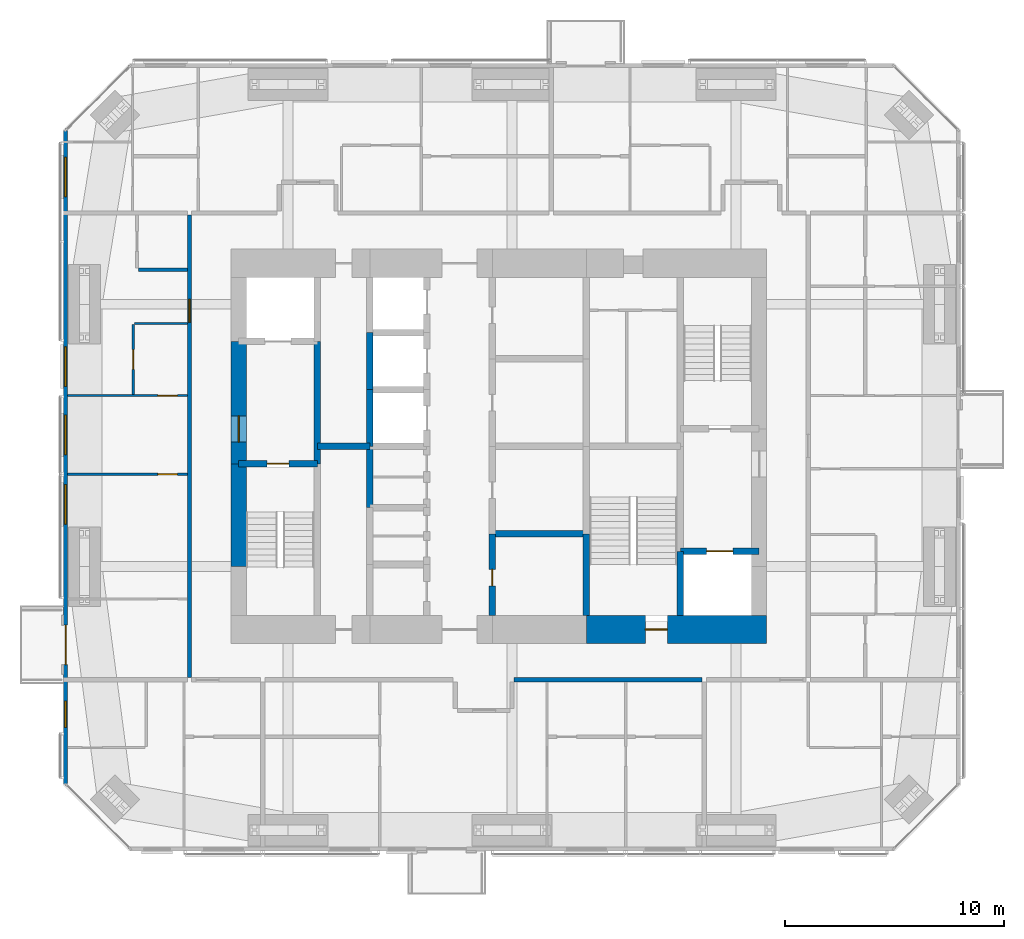
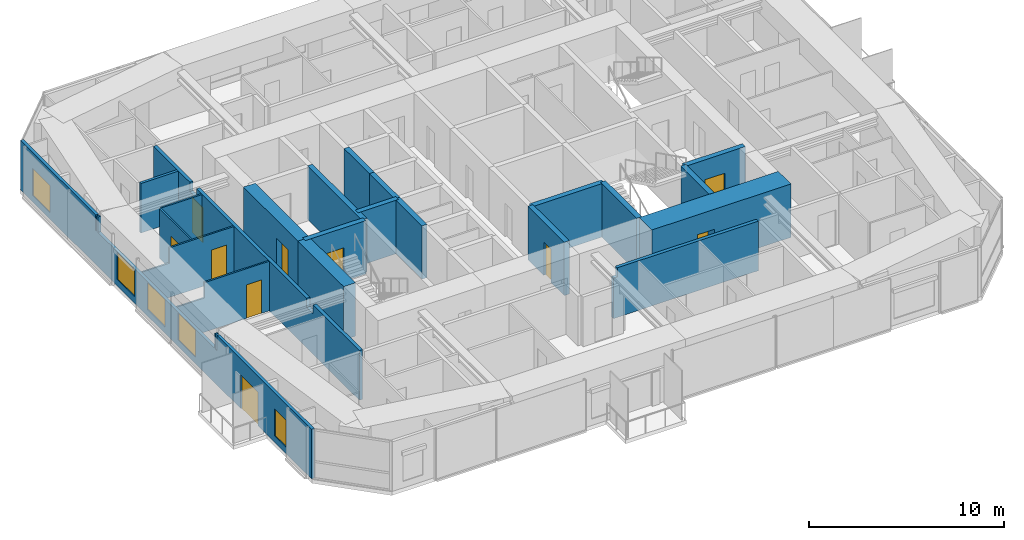
# One storey, part 17 of 23: 22 walls, 10 doors, 5 windows, 15 openings.
"""IFC4 building model written with IfcOpenShell, lengths in metres."""

from ifc_helpers import new_model, si_unit, direction, frame, frame_2d, origin, place, context, subcontext, project, spatial, polyline, rectangle, outline, extrude, material, layer, layer_set, constituent, constituent_set, type_object, element, fill, save


model = new_model("IFC4")

# Units and contexts
model_context = context("Model", 3, precision=1e-05, world=origin(), true_north=direction((0.0, 1.0)))
body_context = subcontext(model_context, "Body", "Model", "MODEL_VIEW")
ifc_project = project(units=[si_unit("LENGTHUNIT", "METRE"), si_unit("AREAUNIT", "SQUARE_METRE"), si_unit("VOLUMEUNIT", "CUBIC_METRE"), si_unit("PLANEANGLEUNIT", "RADIAN"), si_unit("MASSUNIT", "GRAM", prefix="KILO")], contexts=[model_context])

# Site, building, storey
site_placement = place(None, origin())
site = spatial("IfcSite", under=ifc_project, at=site_placement, CompositionType="ELEMENT")
building_placement = place(site_placement, origin())
building = spatial("IfcBuilding", under=site, at=building_placement, Name="Jalousie Tower", CompositionType="ELEMENT")
storey_placement = place(building_placement, frame((0.0, 0.0, 194.550048828125)))
storey = spatial("IfcBuildingStorey", under=building, at=storey_placement, Name="L53", CompositionType="ELEMENT", Elevation=194.550048828125)

# Wall
ifc_material_1 = material(Name="Concrete block ASTM C90", Category="concrete")
ifc_constituent_1 = constituent(ifc_material_1, Name="Body")
ifc_material_2 = material(Name="Render")
ifc_constituent_2 = constituent(ifc_material_2, Name="Finish")
ifc_constituent_set_1 = constituent_set(constituents=[ifc_constituent_1, ifc_constituent_2])
wall_type_1 = type_object("IfcWallType", Name="BATHROOM WALL 150", PredefinedType="PLUMBINGWALL", material=ifc_constituent_set_1)
wall_1_placement = place(storey_placement, frame((15.425048828125, 26.574951171875, 0.0), z_axis=(0.0, 0.0, 1.0), x_axis=(1.0, 0.0, 0.0)))
element("IfcWall", 1, at=wall_1_placement, inside=storey, type_object=wall_type_1, Name="Bathroom Wall 150 L53", PredefinedType="PLUMBINGWALL", context=body_context, shape_type="SweptSolid", body=[
    extrude(rectangle(XDim=2.224853515625, YDim=0.14990234375, at=frame_2d((1.1123046875, 0.0))), origin(), (0.0, 0.0, 1.0), 3.10986328125),
])

# Wall, opening, door
ifc_material_3 = material(Name="Concrete f'c 120 MPa", Category="concrete")
ifc_layer_1 = layer(ifc_material_3, 1.300048828125)
ifc_layer_set_1 = layer_set([ifc_layer_1], Name="Concrete f'c 120 MPa")
wall_type_2 = type_object("IfcWallType", Name="CORE WALL 1300", PredefinedType="SHEAR", material=ifc_layer_set_1)
wall_2_placement = place(storey_placement, frame((35.89990234375, 10.125, 0.0), z_axis=(0.0, 0.0, 1.0), x_axis=(1.0, 0.0, 0.0)))
wall_2 = element("IfcWall", 2, at=wall_2_placement, inside=storey, type_object=wall_type_2, Name="Core wall SD L53", PredefinedType="SHEAR", context=body_context, shape_type="SweptSolid", body=[
    extrude(rectangle(XDim=8.25, YDim=1.300048828125, at=frame_2d((4.125, 0.0))), origin(), (0.0, 0.0, 1.0), 3.349853515625),
])
opening_1_placement = place(wall_2_placement, frame((2.699951171875, 0.0, 0.0)))
opening_1 = element("IfcOpeningElement", 3, at=opening_1_placement, cuts=wall_2, Name="Opening D10", PredefinedType="OPENING", context=body_context, shape_type="SweptSolid", body=[
    extrude(rectangle(XDim=1.0, YDim=2.10009765625, at=frame_2d((0.5, 1.050048828125))), frame((0.0, 0.659912109375, 0.0), z_axis=(0.0, -1.0, 0.0), x_axis=(1.0, 0.0, 0.0)), (0.0, 0.0, 1.0), 1.320068359375),
])
ifc_material_4 = material(Name="Steel fire door", Category="steel")
door_type_1 = type_object("IfcDoorType", Name="STAIR DOOR 1000", OperationType="SINGLE_SWING_LEFT", PredefinedType="DOOR", material=ifc_material_4)
door_1_placement = place(opening_1_placement, origin())
door_1 = element("IfcDoor", 4, at=door_1_placement, inside=storey, type_object=door_type_1, Name="Exit stair C door", OperationType="SINGLE_SWING_RIGHT", OverallHeight=2.10009765625, OverallWidth=1.0, PredefinedType="DOOR", context=body_context, shape_type="SweptSolid", body=[
    extrude(rectangle(XDim=1.0, YDim=2.10009765625, at=frame_2d((0.5, 1.050048828125))), frame((0.0, 0.02490234375, 0.0), z_axis=(0.0, -1.0, 0.0), x_axis=(1.0, 0.0, 0.0)), (0.0, 0.0, 1.0), 0.050048828125),
])
fill(opening_1, door_1)

# Walls
ifc_material_5 = material(Name="Concrete f'c 120 MPa", Category="concrete")
ifc_layer_2 = layer(ifc_material_5, 0.300048828125)
ifc_layer_set_2 = layer_set([ifc_layer_2], Name="Concrete f'c 120 MPa")
wall_type_3 = type_object("IfcWallType", Name="CORE WALL 300", PredefinedType="SHEAR", material=ifc_layer_set_2)
wall_3_placement = place(storey_placement, frame((23.60009765625, 17.699951171875, 0.0), z_axis=(0.0, 0.0, 1.0), x_axis=(0.0, 1.0, 0.0)))
element("IfcWall", 5, at=wall_3_placement, inside=storey, type_object=wall_type_3, Name="Core wall X23.6B L53", PredefinedType="SHEAR", context=body_context, shape_type="SweptSolid", body=[
    extrude(rectangle(XDim=5.60009765625, YDim=0.300048828125, at=frame_2d((2.800048828125, 0.0))), origin(), (0.0, 0.0, 1.0), 3.349853515625),
])
wall_4_placement = place(storey_placement, frame((26.0, 15.699951171875, 0.0), z_axis=(0.0, 0.0, 1.0), x_axis=(0.0, 1.0, 0.0)))
element("IfcWall", 6, at=wall_4_placement, inside=storey, type_object=wall_type_3, Name="Core wall X26C L53", PredefinedType="SHEAR", context=body_context, shape_type="SweptSolid", body=[
    extrude(rectangle(XDim=2.800048828125, YDim=0.300048828125, at=frame_2d((1.39990234375, 0.0))), origin(), (0.0, 0.0, 1.0), 3.349853515625),
])
wall_5_placement = place(storey_placement, frame((26.0, 18.5, 0.0), z_axis=(0.0, 0.0, 1.0), x_axis=(0.0, 1.0, 0.0)))
element("IfcWall", 7, at=wall_5_placement, inside=storey, type_object=wall_type_3, Name="Core wall X26D L53", PredefinedType="SHEAR", context=body_context, shape_type="SweptSolid", body=[
    extrude(rectangle(XDim=2.60009765625, YDim=0.300048828125, at=frame_2d((1.300048828125, 0.0))), origin(), (0.0, 0.0, 1.0), 3.349853515625),
])
wall_6_placement = place(storey_placement, frame((26.0, 21.10009765625, 0.0), z_axis=(0.0, 0.0, 1.0), x_axis=(0.0, 1.0, 0.0)))
element("IfcWall", 8, at=wall_6_placement, inside=storey, type_object=wall_type_3, Name="Core wall X26E L53", PredefinedType="SHEAR", context=body_context, shape_type="SweptSolid", body=[
    extrude(rectangle(XDim=2.599853515625, YDim=0.300048828125, at=frame_2d((1.2998046875, 0.0))), origin(), (0.0, 0.0, 1.0), 3.349853515625),
])

# Wall, opening, door
wall_7_placement = place(storey_placement, frame((31.60009765625, 10.77490234375, 0.0), z_axis=(0.0, 0.0, 1.0), x_axis=(0.0, 1.0, 0.0)))
wall_7 = element("IfcWall", 9, at=wall_7_placement, inside=storey, type_object=wall_type_3, Name="Core wall X31.6A L53", PredefinedType="SHEAR", context=body_context, shape_type="SweptSolid", body=[
    extrude(rectangle(XDim=3.72509765625, YDim=0.300048828125, at=frame_2d((1.862548828125, 0.0))), origin(), (0.0, 0.0, 1.0), 3.349853515625),
])
opening_2_placement = place(wall_7_placement, frame((1.35009765625, 0.0, 0.0)))
opening_2 = element("IfcOpeningElement", 10, at=opening_2_placement, cuts=wall_7, Name="Opening D16", PredefinedType="OPENING", context=body_context, shape_type="SweptSolid", body=[
    extrude(rectangle(XDim=0.75, YDim=2.10009765625, at=frame_2d((0.375, 1.050048828125))), frame((0.0, 0.159912109375, 0.0), z_axis=(0.0, -1.0, 0.0), x_axis=(1.0, 0.0, 0.0)), (0.0, 0.0, 1.0), 0.320068359375),
])
ifc_material_6 = material(Name="Steel fire door", Category="steel")
door_type_2 = type_object("IfcDoorType", Name="RISER DOOR 750", OperationType="SINGLE_SWING_LEFT", PredefinedType="DOOR", material=ifc_material_6)
door_2_placement = place(opening_2_placement, frame((0.75, 0.0, 0.0), z_axis=(0.0, 0.0, 1.0), x_axis=(-1.0, 0.0, 0.0)))
door_2 = element("IfcDoor", 11, at=door_2_placement, inside=storey, type_object=door_type_2, Name="Refuse Room door", OperationType="SINGLE_SWING_RIGHT", OverallHeight=2.10009765625, OverallWidth=0.75, PredefinedType="DOOR", context=body_context, shape_type="SweptSolid", body=[
    extrude(rectangle(XDim=0.75, YDim=2.10009765625, at=frame_2d((0.375, 1.050048828125))), frame((0.0, 0.02490234375, 0.0), z_axis=(0.0, -1.0, 0.0), x_axis=(1.0, 0.0, 0.0)), (0.0, 0.0, 1.0), 0.050048828125),
])
fill(opening_2, door_2)

# Walls
wall_8_placement = place(storey_placement, frame((35.89990234375, 10.77490234375, 0.0), z_axis=(0.0, 0.0, 1.0), x_axis=(0.0, 1.0, 0.0)))
element("IfcWall", 12, at=wall_8_placement, inside=storey, type_object=wall_type_3, Name="Core wall X35.9A L53", PredefinedType="SHEAR", context=body_context, shape_type="SweptSolid", body=[
    extrude(rectangle(XDim=3.72509765625, YDim=0.300048828125, at=frame_2d((1.862548828125, 0.0))), origin(), (0.0, 0.0, 1.0), 3.349853515625),
])
wall_9_placement = place(storey_placement, frame((40.199951171875, 10.77490234375, 0.0), z_axis=(0.0, 0.0, 1.0), x_axis=(0.0, 1.0, 0.0)))
element("IfcWall", 13, at=wall_9_placement, inside=storey, type_object=wall_type_3, Name="Core wall X40.2A L53", PredefinedType="SHEAR", context=body_context, shape_type="SweptSolid", body=[
    extrude(rectangle(XDim=2.925048828125, YDim=0.300048828125, at=frame_2d((1.46240234375, 0.0))), origin(), (0.0, 0.0, 1.0), 3.349853515625),
])

# Wall, opening, door
wall_10_placement = place(storey_placement, frame((20.0, 17.699951171875, 0.0), z_axis=(0.0, 0.0, 1.0), x_axis=(1.0, 0.0, 0.0)))
wall_10 = element("IfcWall", 14, at=wall_10_placement, inside=storey, type_object=wall_type_3, Name="Core wall Y20-17.7 L53", PredefinedType="SHEAR", context=body_context, shape_type="SweptSolid", body=[
    extrude(rectangle(XDim=3.60009765625, YDim=0.300048828125, at=frame_2d((1.800048828125, 0.0))), origin(), (0.0, 0.0, 1.0), 3.349853515625),
])
opening_3_placement = place(wall_10_placement, frame((1.300048828125, 0.0, 0.0)))
opening_3 = element("IfcOpeningElement", 15, at=opening_3_placement, cuts=wall_10, Name="Opening D10", PredefinedType="OPENING", context=body_context, shape_type="SweptSolid", body=[
    extrude(rectangle(XDim=1.0, YDim=2.10009765625, at=frame_2d((0.5, 1.050048828125))), frame((0.0, 0.159912109375, 0.0), z_axis=(0.0, -1.0, 0.0), x_axis=(1.0, 0.0, 0.0)), (0.0, 0.0, 1.0), 0.320068359375),
])
door_3_placement = place(opening_3_placement, frame((1.0, 0.0, 0.0), z_axis=(0.0, 0.0, 1.0), x_axis=(-1.0, 0.0, 0.0)))
door_3 = element("IfcDoor", 16, at=door_3_placement, inside=storey, type_object=door_type_1, Name="Exit stair A door", OperationType="SINGLE_SWING_RIGHT", OverallHeight=2.10009765625, OverallWidth=1.0, PredefinedType="DOOR", context=body_context, shape_type="SweptSolid", body=[
    extrude(rectangle(XDim=1.0, YDim=2.10009765625, at=frame_2d((0.5, 1.050048828125))), frame((0.0, 0.02490234375, 0.0), z_axis=(0.0, -1.0, 0.0), x_axis=(1.0, 0.0, 0.0)), (0.0, 0.0, 1.0), 0.050048828125),
])
fill(opening_3, door_3)

# Walls
wall_11_placement = place(storey_placement, frame((23.60009765625, 18.5, 0.0), z_axis=(0.0, 0.0, 1.0), x_axis=(1.0, 0.0, 0.0)))
element("IfcWall", 17, at=wall_11_placement, inside=storey, type_object=wall_type_3, Name="Core wall Y23.6-18.5 L53", PredefinedType="SHEAR", context=body_context, shape_type="SweptSolid", body=[
    extrude(rectangle(XDim=2.39990234375, YDim=0.300048828125, at=frame_2d((1.199951171875, 0.0))), origin(), (0.0, 0.0, 1.0), 3.349853515625),
])
wall_12_placement = place(storey_placement, frame((31.60009765625, 14.5, 0.0), z_axis=(0.0, 0.0, 1.0), x_axis=(1.0, 0.0, 0.0)))
element("IfcWall", 18, at=wall_12_placement, inside=storey, type_object=wall_type_3, Name="Core wall Y31.6-14.5 L53", PredefinedType="SHEAR", context=body_context, shape_type="SweptSolid", body=[
    extrude(rectangle(XDim=4.2998046875, YDim=0.300048828125, at=frame_2d((2.14990234375, 0.0))), origin(), (0.0, 0.0, 1.0), 3.349853515625),
])

# Wall, opening, door
wall_13_placement = place(storey_placement, frame((40.199951171875, 13.699951171875, 0.0), z_axis=(0.0, 0.0, 1.0), x_axis=(1.0, 0.0, 0.0)))
wall_13 = element("IfcWall", 19, at=wall_13_placement, inside=storey, type_object=wall_type_3, Name="Core wall Y40.2-13.7 L53", PredefinedType="SHEAR", context=body_context, shape_type="SweptSolid", body=[
    extrude(rectangle(XDim=3.60009765625, YDim=0.300048828125, at=frame_2d((1.800048828125, 0.0))), origin(), (0.0, 0.0, 1.0), 3.349853515625),
])
opening_4_placement = place(wall_13_placement, frame((1.199951171875, 0.0, 0.0)))
opening_4 = element("IfcOpeningElement", 20, at=opening_4_placement, cuts=wall_13, Name="Opening LD2", PredefinedType="OPENING", context=body_context, shape_type="SweptSolid", body=[
    extrude(rectangle(XDim=1.199951171875, YDim=2.10009765625, at=frame_2d((0.60009765625, 1.050048828125))), frame((0.0, 0.159912109375, 0.0), z_axis=(0.0, -1.0, 0.0), x_axis=(1.0, 0.0, 0.0)), (0.0, 0.0, 1.0), 0.320068359375),
])
ifc_material_7 = material(Name="Steel lift landing door", Category="steel")
door_type_3 = type_object("IfcDoorType", Name="LIFT LANDING DOOR 1200", OperationType="SLIDING_TO_LEFT", PredefinedType="DOOR", material=ifc_material_7)
door_4_placement = place(opening_4_placement, origin())
door_4 = element("IfcDoor", 21, at=door_4_placement, inside=storey, type_object=door_type_3, Name="Lift F2 landing door", OperationType="SLIDING_TO_LEFT", OverallHeight=2.10009765625, OverallWidth=1.199951171875, PredefinedType="DOOR", context=body_context, shape_type="SweptSolid", body=[
    extrude(rectangle(XDim=1.199951171875, YDim=2.10009765625, at=frame_2d((0.60009765625, 1.050048828125))), frame((0.0, 0.02490234375, 0.0), z_axis=(0.0, -1.0, 0.0), x_axis=(1.0, 0.0, 0.0)), (0.0, 0.0, 1.0), 0.050048828125),
])
fill(opening_4, door_4)

ifc_material_8 = material(Name="Concrete f'c 120 MPa", Category="concrete")
ifc_layer_3 = layer(ifc_material_8, 0.699951171875)
ifc_layer_set_3 = layer_set([ifc_layer_3], Name="Concrete f'c 120 MPa")
wall_type_4 = type_object("IfcWallType", Name="CORE WALL 700", PredefinedType="SHEAR", material=ifc_layer_set_3)
wall_14_placement = place(storey_placement, frame((20.0, 23.300048828125, 0.0), z_axis=(0.0, 0.0, 1.0), x_axis=(0.0, -1.0, 0.0)))
wall_14 = element("IfcWall", 22, at=wall_14_placement, inside=storey, type_object=wall_type_4, Name="Core wall WB L53", PredefinedType="SHEAR", context=body_context, shape_type="SweptSolid", body=[
    extrude(rectangle(XDim=5.60009765625, YDim=0.699951171875, at=frame_2d((2.800048828125, 0.0))), origin(), (0.0, 0.0, 1.0), 3.349853515625),
])
opening_5_placement = place(wall_14_placement, frame((3.39990234375, 0.0, 0.0)))
opening_5 = element("IfcOpeningElement", 23, at=opening_5_placement, cuts=wall_14, Name="Opening D11", PredefinedType="OPENING", context=body_context, shape_type="SweptSolid", body=[
    extrude(rectangle(XDim=1.199951171875, YDim=2.199951171875, at=frame_2d((0.60009765625, 1.10009765625))), frame((0.0, 0.35986328125, 0.0), z_axis=(0.0, -1.0, 0.0), x_axis=(1.0, 0.0, 0.0)), (0.0, 0.0, 1.0), 0.719970703125),
])
ifc_material_9 = material(Name="Steel fire door", Category="steel")
door_type_4 = type_object("IfcDoorType", Name="FIRE DOOR 1200", OperationType="SINGLE_SWING_LEFT", PredefinedType="DOOR", material=ifc_material_9)
door_5_placement = place(opening_5_placement, origin())
door_5 = element("IfcDoor", 24, at=door_5_placement, inside=storey, type_object=door_type_4, Name="Fire-fighting lobby A door", OperationType="SINGLE_SWING_RIGHT", OverallHeight=2.199951171875, OverallWidth=1.199951171875, PredefinedType="DOOR", context=body_context, shape_type="SweptSolid", body=[
    extrude(rectangle(XDim=1.199951171875, YDim=2.199951171875, at=frame_2d((0.60009765625, 1.10009765625))), frame((0.0, 0.02490234375, 0.0), z_axis=(0.0, -1.0, 0.0), x_axis=(1.0, 0.0, 0.0)), (0.0, 0.0, 1.0), 0.050048828125),
])
fill(opening_5, door_5)

# Wall
wall_15_placement = place(storey_placement, frame((20.0, 17.699951171875, 0.0), z_axis=(0.0, 0.0, 1.0), x_axis=(0.0, -1.0, 0.0)))
element("IfcWall", 25, at=wall_15_placement, inside=storey, type_object=wall_type_4, Name="Core wall WC L53", PredefinedType="SHEAR", context=body_context, shape_type="SweptSolid", body=[
    extrude(rectangle(XDim=4.699951171875, YDim=0.699951171875, at=frame_2d((2.35009765625, 0.0))), origin(), (0.0, 0.0, 1.0), 3.349853515625),
])

# Wall, opening, door
ifc_material_10 = material(Name="Concrete block ASTM C90", Category="concrete")
ifc_constituent_3 = constituent(ifc_material_10, Name="Body")
ifc_material_11 = material(Name="Render")
ifc_constituent_4 = constituent(ifc_material_11, Name="Finish")
ifc_constituent_set_2 = constituent_set(constituents=[ifc_constituent_3, ifc_constituent_4])
wall_type_5 = type_object("IfcWallType", Name="CORRIDOR WALL 200", PredefinedType="PARTITIONING", material=ifc_constituent_set_2)
wall_16_placement = place(storey_placement, frame((17.75, 7.925048828125, 0.0), z_axis=(0.0, 0.0, 1.0), x_axis=(0.0, 1.0, 0.0)))
wall_16 = element("IfcWall", 26, at=wall_16_placement, inside=storey, type_object=wall_type_5, Name="Corridor Wall 200 L53", PredefinedType="PARTITIONING", context=body_context, shape_type="SweptSolid", body=[
    extrude(outline(polyline([(0.0, 0.0), (21.14990234375, 0.0), (21.14990234375, 3.10986328125), (17.412353515625, 3.10986328125), (17.412353515625, 2.541015625), (16.737548828125, 2.541015625), (16.737548828125, 3.10986328125), (5.412353515625, 3.10986328125), (5.412353515625, 2.541015625), (4.73779296875, 2.541015625), (4.73779296875, 3.10986328125), (0.0, 3.10986328125), (0.0, 0.0)])), frame((0.0, 0.10009765625, 0.0), z_axis=(0.0, -1.0, 0.0), x_axis=(1.0, 0.0, 0.0)), (0.0, 0.0, 1.0), 0.199951171875),
])
opening_6_placement = place(wall_16_placement, frame((16.25, 0.0, 0.0)))
opening_6 = element("IfcOpeningElement", 27, at=opening_6_placement, cuts=wall_16, Name="Opening D1", PredefinedType="OPENING", context=body_context, shape_type="SweptSolid", body=[
    extrude(rectangle(XDim=1.050048828125, YDim=2.199951171875, at=frame_2d((0.52490234375, 1.10009765625))), frame((0.0, 0.10986328125, 0.0), z_axis=(0.0, -1.0, 0.0), x_axis=(1.0, 0.0, 0.0)), (0.0, 0.0, 1.0), 0.219970703125),
])
ifc_material_12 = material(Name="Timber fire door", Category="wood")
door_type_5 = type_object("IfcDoorType", Name="APARTMENT ENTRANCE DOOR 1050", OperationType="SINGLE_SWING_LEFT", PredefinedType="DOOR", material=ifc_material_12)
door_6_placement = place(opening_6_placement, origin())
door_6 = element("IfcDoor", 28, at=door_6_placement, inside=storey, type_object=door_type_5, Name="Apartment 5306 entrance", OperationType="SINGLE_SWING_LEFT", OverallHeight=2.199951171875, OverallWidth=1.050048828125, PredefinedType="DOOR", context=body_context, shape_type="SweptSolid", body=[
    extrude(rectangle(XDim=1.050048828125, YDim=2.199951171875, at=frame_2d((0.52490234375, 1.10009765625))), frame((0.0, 0.02490234375, 0.0), z_axis=(0.0, -1.0, 0.0), x_axis=(1.0, 0.0, 0.0)), (0.0, 0.0, 1.0), 0.050048828125),
])
fill(opening_6, door_6)

# Wall
wall_17_placement = place(storey_placement, frame((32.60009765625, 7.824951171875, 0.0), z_axis=(0.0, 0.0, 1.0), x_axis=(1.0, 0.0, 0.0)))
element("IfcWall", 29, at=wall_17_placement, inside=storey, type_object=wall_type_5, Name="Corridor Wall 200 L53", PredefinedType="PARTITIONING", context=body_context, shape_type="SweptSolid", body=[
    extrude(outline(polyline([(0.0, 0.0), (8.599853515625, 0.0), (8.60009765625, 3.10986328125), (0.2373046875, 3.10986328125), (0.2373046875, 2.541015625), (0.0, 2.541015625), (0.0, 3.10986328125), (0.0, 0.0)])), frame((0.0, 0.10009765625, 0.0), z_axis=(0.0, -1.0, 0.0), x_axis=(1.0, 0.0, 0.0)), (0.0, 0.0, 1.0), 0.199951171875),
])

# Wall, openings, door, windows
ifc_material_13 = material(Name="Concrete f'c 40 MPa", Category="concrete")
ifc_constituent_5 = constituent(ifc_material_13, Name="Body")
ifc_material_14 = material(Name="Render, pastel lemon")
ifc_constituent_6 = constituent(ifc_material_14, Name="Finish")
ifc_constituent_set_3 = constituent_set(constituents=[ifc_constituent_5, ifc_constituent_6])
wall_type_6 = type_object("IfcWallType", Name="EXTERNAL WALL 175 LEMON RENDER", PredefinedType="SOLIDWALL", material=ifc_constituent_set_3)
wall_18_placement = place(storey_placement, frame((12.08740234375, 32.94873046875, 0.0), z_axis=(0.0, 0.0, 1.0), x_axis=(0.0, -1.0, 0.0)))
wall_18 = element("IfcWall", 30, at=wall_18_placement, inside=storey, type_object=wall_type_6, Name="External Wall 175 Lemon Render L53", PredefinedType="SOLIDWALL", context=body_context, shape_type="SweptSolid", body=[
    extrude(outline(polyline([(0.0, 0.0), (29.8974609375, 0.0), (29.8974609375, 3.10986328125), (20.19140625, 3.10986328125), (20.19140625, 2.14990234375), (20.050537109375, 2.14990234375), (20.050537109375, 3.10986328125), (19.94873046875, 3.10986328125), (19.94873046875, 2.14990234375), (7.94873046875, 2.14990234375), (7.94873046875, 3.10986328125), (7.823486328125, 3.10986328125), (7.823486328125, 2.14990234375), (7.729736328125, 2.14990234375), (7.729736328125, 3.10986328125), (0.0, 3.10986328125), (0.0, 0.0)])), frame((0.0, 0.08740234375, 0.0), z_axis=(0.0, -1.0, 0.0), x_axis=(1.0, 0.0, 0.0)), (0.0, 0.0, 1.0), 0.175048828125),
])
opening_7_placement = place(wall_18_placement, frame((1.226318359375, 0.0, 0.39990234375)))
opening_7 = element("IfcOpeningElement", 31, at=opening_7_placement, cuts=wall_18, Name="Opening W-BED170", PredefinedType="OPENING", context=body_context, shape_type="SweptSolid", body=[
    extrude(rectangle(XDim=1.800048828125, YDim=1.699951171875, at=frame_2d((0.89990234375, 0.85009765625))), frame((0.0, 0.097412109375, 0.0), z_axis=(0.0, -1.0, 0.0), x_axis=(1.0, 0.0, 0.0)), (0.0, 0.0, 1.0), 0.195068359375),
])
opening_8_placement = place(wall_18_placement, frame((9.898681640625, 0.0, 0.39990234375)))
opening_8 = element("IfcOpeningElement", 32, at=opening_8_placement, cuts=wall_18, Name="Opening W-BED170", PredefinedType="OPENING", context=body_context, shape_type="SweptSolid", body=[
    extrude(rectangle(XDim=1.800048828125, YDim=1.699951171875, at=frame_2d((0.89990234375, 0.85009765625))), frame((0.0, 0.097412109375, 0.0), z_axis=(0.0, -1.0, 0.0), x_axis=(1.0, 0.0, 0.0)), (0.0, 0.0, 1.0), 0.195068359375),
])
opening_9_placement = place(wall_18_placement, frame((13.023681640625, 0.0, 0.39990234375)))
opening_9 = element("IfcOpeningElement", 33, at=opening_9_placement, cuts=wall_18, Name="Opening W-BED170", PredefinedType="OPENING", context=body_context, shape_type="SweptSolid", body=[
    extrude(rectangle(XDim=1.800048828125, YDim=1.699951171875, at=frame_2d((0.89990234375, 0.85009765625))), frame((0.0, 0.097412109375, 0.0), z_axis=(0.0, -1.0, 0.0), x_axis=(1.0, 0.0, 0.0)), (0.0, 0.0, 1.0), 0.195068359375),
])
opening_10_placement = place(wall_18_placement, frame((16.201171875, 0.0, 0.39990234375)))
opening_10 = element("IfcOpeningElement", 34, at=opening_10_placement, cuts=wall_18, Name="Opening W-BED170", PredefinedType="OPENING", context=body_context, shape_type="SweptSolid", body=[
    extrude(rectangle(XDim=1.800048828125, YDim=1.699951171875, at=frame_2d((0.89990234375, 0.85009765625))), frame((0.0, 0.097412109375, 0.0), z_axis=(0.0, -1.0, 0.0), x_axis=(1.0, 0.0, 0.0)), (0.0, 0.0, 1.0), 0.195068359375),
])
opening_11_placement = place(wall_18_placement, frame((22.623779296875, 0.0, 0.0)))
opening_11 = element("IfcOpeningElement", 35, at=opening_11_placement, cuts=wall_18, Name="Opening D-BAL21", PredefinedType="OPENING", context=body_context, shape_type="SweptSolid", body=[
    extrude(rectangle(XDim=1.800048828125, YDim=2.10009765625, at=frame_2d((0.89990234375, 1.050048828125))), frame((0.0, 0.097412109375, 0.0), z_axis=(0.0, -1.0, 0.0), x_axis=(1.0, 0.0, 0.0)), (0.0, 0.0, 1.0), 0.195068359375),
])
opening_12_placement = place(wall_18_placement, frame((26.0986328125, 0.0, 0.39990234375)))
opening_12 = element("IfcOpeningElement", 36, at=opening_12_placement, cuts=wall_18, Name="Opening W-COR170", PredefinedType="OPENING", context=body_context, shape_type="SweptSolid", body=[
    extrude(rectangle(XDim=1.199951171875, YDim=1.699951171875, at=frame_2d((0.60009765625, 0.85009765625))), frame((0.0, 0.097412109375, 0.0), z_axis=(0.0, -1.0, 0.0), x_axis=(1.0, 0.0, 0.0)), (0.0, 0.0, 1.0), 0.195068359375),
])
ifc_material_15 = material(Name="Aluminium frame, impact-rated glazing", Category="aluminium")
door_type_6 = type_object("IfcDoorType", Name="BALCONY DOOR 1800x2100", OperationType="SLIDING_TO_LEFT", PredefinedType="DOOR", material=ifc_material_15)
door_7_placement = place(opening_11_placement, origin())
door_7 = element("IfcDoor", 37, at=door_7_placement, inside=storey, type_object=door_type_6, Name="Apartment 5306 bedroom 1 balcony door", OperationType="SLIDING_TO_LEFT", OverallHeight=2.10009765625, OverallWidth=1.800048828125, PredefinedType="DOOR", context=body_context, shape_type="SweptSolid", body=[
    extrude(rectangle(XDim=1.800048828125, YDim=2.10009765625, at=frame_2d((0.89990234375, 1.050048828125))), frame((0.0, 0.02490234375, 0.0), z_axis=(0.0, -1.0, 0.0), x_axis=(1.0, 0.0, 0.0)), (0.0, 0.0, 1.0), 0.050048828125),
])
fill(opening_11, door_7)
ifc_material_16 = material(Name="Aluminium frame, impact-rated glazing", Category="aluminium")
window_type_1 = type_object("IfcWindowType", Name="WINDOW BED 1800x1700", PartitioningType="SINGLE_PANEL", PredefinedType="WINDOW", material=ifc_material_16)
window_1_placement = place(opening_7_placement, origin())
window_1 = element("IfcWindow", 38, at=window_1_placement, inside=storey, type_object=window_type_1, Name="Apartment 5304 bedroom 1 window", OverallHeight=1.699951171875, OverallWidth=1.800048828125, PartitioningType="SINGLE_PANEL", PredefinedType="WINDOW", context=body_context, shape_type="SweptSolid", body=[
    extrude(rectangle(XDim=1.800048828125, YDim=1.699951171875, at=frame_2d((0.89990234375, 0.85009765625))), frame((0.0, 0.030029296875, 0.0), z_axis=(0.0, -1.0, 0.0), x_axis=(1.0, 0.0, 0.0)), (0.0, 0.0, 1.0), 0.06005859375),
])
fill(opening_7, window_1)
window_2_placement = place(opening_8_placement, origin())
window_2 = element("IfcWindow", 39, at=window_2_placement, inside=storey, type_object=window_type_1, Name="Apartment 5306 living and dining room window", OverallHeight=1.699951171875, OverallWidth=1.800048828125, PartitioningType="SINGLE_PANEL", PredefinedType="WINDOW", context=body_context, shape_type="SweptSolid", body=[
    extrude(rectangle(XDim=1.800048828125, YDim=1.699951171875, at=frame_2d((0.89990234375, 0.85009765625))), frame((0.0, 0.030029296875, 0.0), z_axis=(0.0, -1.0, 0.0), x_axis=(1.0, 0.0, 0.0)), (0.0, 0.0, 1.0), 0.06005859375),
])
fill(opening_8, window_2)
window_3_placement = place(opening_9_placement, origin())
window_3 = element("IfcWindow", 40, at=window_3_placement, inside=storey, type_object=window_type_1, Name="Apartment 5306 bedroom 3 window", OverallHeight=1.699951171875, OverallWidth=1.800048828125, PartitioningType="SINGLE_PANEL", PredefinedType="WINDOW", context=body_context, shape_type="SweptSolid", body=[
    extrude(rectangle(XDim=1.800048828125, YDim=1.699951171875, at=frame_2d((0.89990234375, 0.85009765625))), frame((0.0, 0.030029296875, 0.0), z_axis=(0.0, -1.0, 0.0), x_axis=(1.0, 0.0, 0.0)), (0.0, 0.0, 1.0), 0.06005859375),
])
fill(opening_9, window_3)
window_4_placement = place(opening_10_placement, origin())
window_4 = element("IfcWindow", 41, at=window_4_placement, inside=storey, type_object=window_type_1, Name="Apartment 5306 bedroom 2 window", OverallHeight=1.699951171875, OverallWidth=1.800048828125, PartitioningType="SINGLE_PANEL", PredefinedType="WINDOW", context=body_context, shape_type="SweptSolid", body=[
    extrude(rectangle(XDim=1.800048828125, YDim=1.699951171875, at=frame_2d((0.89990234375, 0.85009765625))), frame((0.0, 0.030029296875, 0.0), z_axis=(0.0, -1.0, 0.0), x_axis=(1.0, 0.0, 0.0)), (0.0, 0.0, 1.0), 0.06005859375),
])
fill(opening_10, window_4)
ifc_material_17 = material(Name="Aluminium frame, impact-rated glazing", Category="aluminium")
window_type_2 = type_object("IfcWindowType", Name="WINDOW COR 1200x1700", PartitioningType="SINGLE_PANEL", PredefinedType="WINDOW", material=ifc_material_17)
window_5_placement = place(opening_12_placement, origin())
window_5 = element("IfcWindow", 42, at=window_5_placement, inside=storey, type_object=window_type_2, Name="Apartment 5301 kitchen window", OverallHeight=1.699951171875, OverallWidth=1.199951171875, PartitioningType="SINGLE_PANEL", PredefinedType="WINDOW", context=body_context, shape_type="SweptSolid", body=[
    extrude(rectangle(XDim=1.199951171875, YDim=1.699951171875, at=frame_2d((0.60009765625, 0.85009765625))), frame((0.0, 0.030029296875, 0.0), z_axis=(0.0, -1.0, 0.0), x_axis=(1.0, 0.0, 0.0)), (0.0, 0.0, 1.0), 0.06005859375),
])
fill(opening_12, window_5)

# Wall, opening, door
ifc_material_18 = material(Name="Gypsum board", Category="gypsum")
ifc_constituent_7 = constituent(ifc_material_18, Name="Body")
ifc_material_19 = material(Name="Light-gauge steel studs ASTM A653 SS Grade 33", Category="steel")
ifc_constituent_8 = constituent(ifc_material_19, Name="Framing")
ifc_constituent_set_4 = constituent_set(constituents=[ifc_constituent_7, ifc_constituent_8])
wall_type_7 = type_object("IfcWallType", Name="PARTITION 100", PredefinedType="PARTITIONING", material=ifc_constituent_set_4)
wall_19_placement = place(storey_placement, frame((12.175048828125, 17.22509765625, 0.0), z_axis=(0.0, 0.0, 1.0), x_axis=(1.0, 0.0, 0.0)))
wall_19 = element("IfcWall", 43, at=wall_19_placement, inside=storey, type_object=wall_type_7, Name="Partition 100 L53", PredefinedType="PARTITIONING", context=body_context, shape_type="SweptSolid", body=[
    extrude(outline(polyline([(0.0, 0.0), (5.474853515625, 0.0), (5.47509765625, 3.10986328125), (1.635009765625, 3.10986328125), (1.635009765625, 2.14990234375), (0.0, 2.14990234375), (0.0, 3.10986328125), (0.0, 0.0)])), frame((0.0, 0.050048828125, 0.0), z_axis=(0.0, -1.0, 0.0), x_axis=(1.0, 0.0, 0.0)), (0.0, 0.0, 1.0), 0.10009765625),
])
opening_13_placement = place(wall_19_placement, frame((4.125, 0.0, 0.0)))
opening_13 = element("IfcOpeningElement", 44, at=opening_13_placement, cuts=wall_19, Name="Opening D2", PredefinedType="OPENING", context=body_context, shape_type="SweptSolid", body=[
    extrude(rectangle(XDim=0.89990234375, YDim=2.10009765625, at=frame_2d((0.449951171875, 1.050048828125))), frame((0.0, 0.06005859375, 0.0), z_axis=(0.0, -1.0, 0.0), x_axis=(1.0, 0.0, 0.0)), (0.0, 0.0, 1.0), 0.1201171875),
])
ifc_material_20 = material(Name="Timber door", Category="wood")
door_type_7 = type_object("IfcDoorType", Name="BEDROOM DOOR 900", OperationType="SINGLE_SWING_LEFT", PredefinedType="DOOR", material=ifc_material_20)
door_8_placement = place(opening_13_placement, frame((0.89990234375, 0.0, 0.0), z_axis=(0.0, 0.0, 1.0), x_axis=(-1.0, 0.0, 0.0)))
door_8 = element("IfcDoor", 45, at=door_8_placement, inside=storey, type_object=door_type_7, Name="Apartment 5306 bedroom 2 door", OperationType="SINGLE_SWING_LEFT", OverallHeight=2.10009765625, OverallWidth=0.89990234375, PredefinedType="DOOR", context=body_context, shape_type="SweptSolid", body=[
    extrude(rectangle(XDim=0.89990234375, YDim=2.10009765625, at=frame_2d((0.449951171875, 1.050048828125))), frame((0.0, 0.02490234375, 0.0), z_axis=(0.0, -1.0, 0.0), x_axis=(1.0, 0.0, 0.0)), (0.0, 0.0, 1.0), 0.050048828125),
])
fill(opening_13, door_8)

wall_20_placement = place(storey_placement, frame((12.175048828125, 20.824951171875, 0.0), z_axis=(0.0, 0.0, 1.0), x_axis=(1.0, 0.0, 0.0)))
wall_20 = element("IfcWall", 46, at=wall_20_placement, inside=storey, type_object=wall_type_7, Name="Partition 100 L53", PredefinedType="PARTITIONING", context=body_context, shape_type="SweptSolid", body=[
    extrude(outline(polyline([(0.0, 0.0), (5.474853515625, 0.0), (5.47509765625, 3.10986328125), (1.635009765625, 3.10986328125), (1.635009765625, 2.14990234375), (0.0, 2.14990234375), (0.0, 3.10986328125), (0.0, 0.0)])), frame((0.0, 0.050048828125, 0.0), z_axis=(0.0, -1.0, 0.0), x_axis=(1.0, 0.0, 0.0)), (0.0, 0.0, 1.0), 0.10009765625),
])
opening_14_placement = place(wall_20_placement, frame((4.125, 0.0, 0.0)))
opening_14 = element("IfcOpeningElement", 47, at=opening_14_placement, cuts=wall_20, Name="Opening D2", PredefinedType="OPENING", context=body_context, shape_type="SweptSolid", body=[
    extrude(rectangle(XDim=0.89990234375, YDim=2.10009765625, at=frame_2d((0.449951171875, 1.050048828125))), frame((0.0, 0.06005859375, 0.0), z_axis=(0.0, -1.0, 0.0), x_axis=(1.0, 0.0, 0.0)), (0.0, 0.0, 1.0), 0.1201171875),
])
door_9_placement = place(opening_14_placement, frame((0.89990234375, 0.0, 0.0), z_axis=(0.0, 0.0, 1.0), x_axis=(-1.0, 0.0, 0.0)))
door_9 = element("IfcDoor", 48, at=door_9_placement, inside=storey, type_object=door_type_7, Name="Apartment 5306 bedroom 3 door", OperationType="SINGLE_SWING_LEFT", OverallHeight=2.10009765625, OverallWidth=0.89990234375, PredefinedType="DOOR", context=body_context, shape_type="SweptSolid", body=[
    extrude(rectangle(XDim=0.89990234375, YDim=2.10009765625, at=frame_2d((0.449951171875, 1.050048828125))), frame((0.0, 0.02490234375, 0.0), z_axis=(0.0, -1.0, 0.0), x_axis=(1.0, 0.0, 0.0)), (0.0, 0.0, 1.0), 0.050048828125),
])
fill(opening_14, door_9)

wall_21_placement = place(storey_placement, frame((15.175048828125, 20.875, 0.0), z_axis=(0.0, 0.0, 1.0), x_axis=(0.0, 1.0, 0.0)))
wall_21 = element("IfcWall", 49, at=wall_21_placement, inside=storey, type_object=wall_type_7, Name="Partition 100 L53", PredefinedType="PARTITIONING", context=body_context, shape_type="SweptSolid", body=[
    extrude(rectangle(XDim=3.199951171875, YDim=0.10009765625, at=frame_2d((1.60009765625, 0.0))), origin(), (0.0, 0.0, 1.0), 3.10986328125),
])
opening_15_placement = place(wall_21_placement, frame((1.14990234375, 0.0, 0.0)))
opening_15 = element("IfcOpeningElement", 50, at=opening_15_placement, cuts=wall_21, Name="Opening D7", PredefinedType="OPENING", context=body_context, shape_type="SweptSolid", body=[
    extrude(rectangle(XDim=0.89990234375, YDim=2.10009765625, at=frame_2d((0.449951171875, 1.050048828125))), frame((0.0, 0.06005859375, 0.0), z_axis=(0.0, -1.0, 0.0), x_axis=(1.0, 0.0, 0.0)), (0.0, 0.0, 1.0), 0.1201171875),
])
ifc_material_21 = material(Name="Timber door", Category="wood")
door_type_8 = type_object("IfcDoorType", Name="INTERNAL DOOR 900", OperationType="SINGLE_SWING_LEFT", PredefinedType="DOOR", material=ifc_material_21)
door_10_placement = place(opening_15_placement, origin())
door_10 = element("IfcDoor", 51, at=door_10_placement, inside=storey, type_object=door_type_8, Name="Apartment 5306 kitchen door", OperationType="SINGLE_SWING_LEFT", OverallHeight=2.10009765625, OverallWidth=0.89990234375, PredefinedType="DOOR", context=body_context, shape_type="SweptSolid", body=[
    extrude(rectangle(XDim=0.89990234375, YDim=2.10009765625, at=frame_2d((0.449951171875, 1.050048828125))), frame((0.0, 0.02490234375, 0.0), z_axis=(0.0, -1.0, 0.0), x_axis=(1.0, 0.0, 0.0)), (0.0, 0.0, 1.0), 0.050048828125),
])
fill(opening_15, door_10)

# Wall
wall_22_placement = place(storey_placement, frame((15.22509765625, 24.125, 0.0), z_axis=(0.0, 0.0, 1.0), x_axis=(1.0, 0.0, 0.0)))
element("IfcWall", 52, at=wall_22_placement, inside=storey, type_object=wall_type_7, Name="Partition 100 L53", PredefinedType="PARTITIONING", context=body_context, shape_type="SweptSolid", body=[
    extrude(rectangle(XDim=2.4248046875, YDim=0.10009765625, at=frame_2d((1.21240234375, 0.0))), origin(), (0.0, 0.0, 1.0), 3.10986328125),
])

save(model, "model.ifc")
